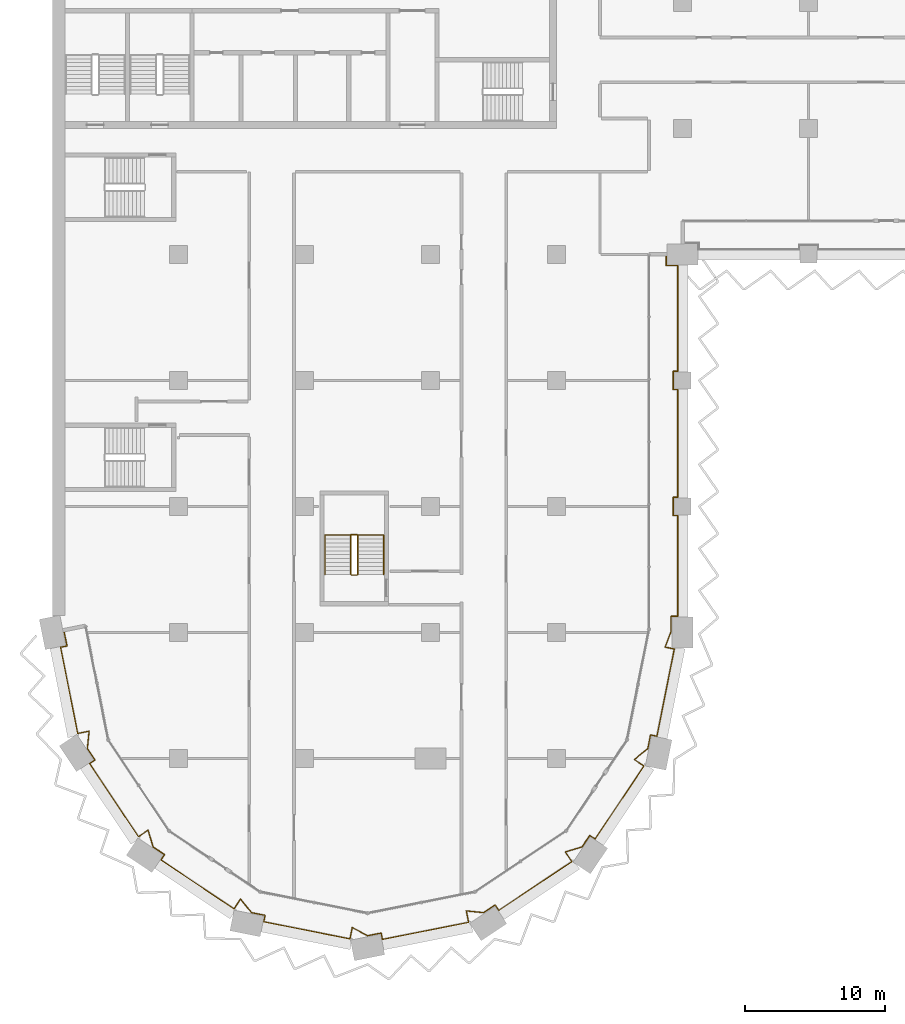
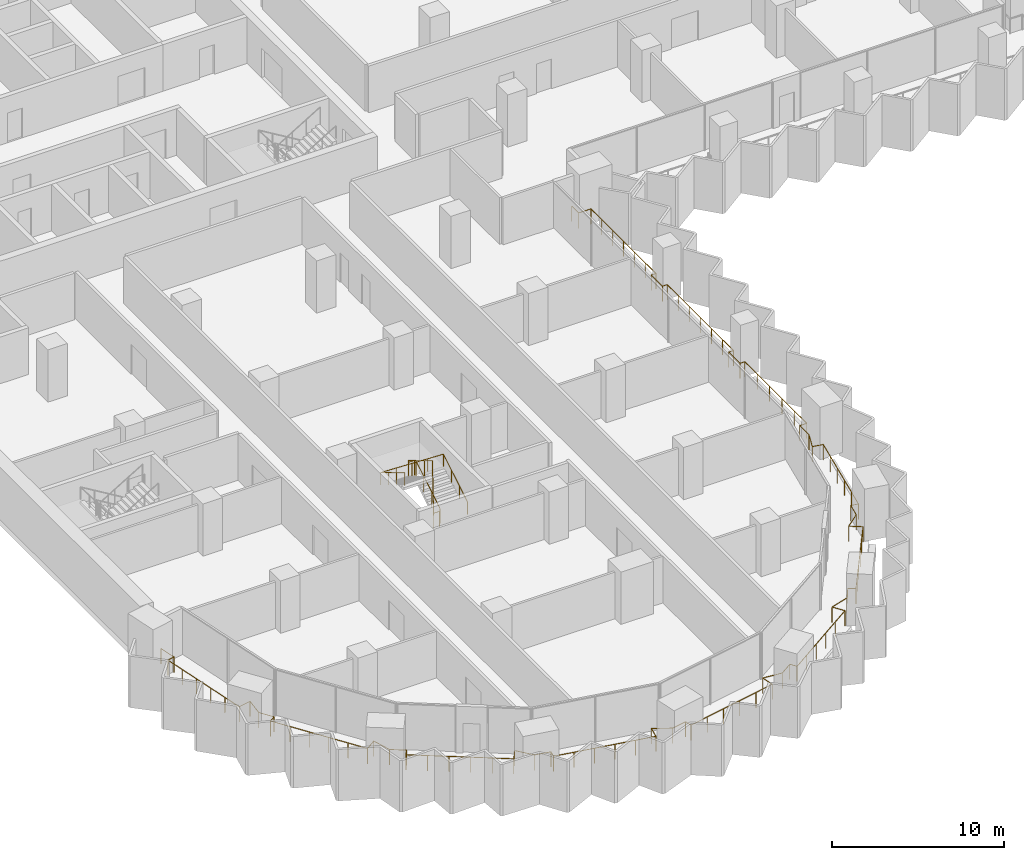
# One storey, part 19 of 22: 3 railings.
"""IFC4 building model written with IfcOpenShell, lengths in metres."""

from ifc_helpers import new_model, si_unit, direction, frame, origin, origin_2d, place, context, subcontext, project, spatial, circle, extrude, material, type_object, element, save


model = new_model("IFC4")

# Units and contexts
model_context = context("Model", 3, precision=1e-05, world=origin(), true_north=direction((0.0, 1.0)))
body_context = subcontext(model_context, "Body", "Model", "MODEL_VIEW")
ifc_project = project(units=[si_unit("LENGTHUNIT", "METRE"), si_unit("AREAUNIT", "SQUARE_METRE"), si_unit("VOLUMEUNIT", "CUBIC_METRE"), si_unit("PLANEANGLEUNIT", "RADIAN"), si_unit("MASSUNIT", "GRAM", prefix="KILO")], contexts=[model_context])

# Site, building, storey
site_placement = place(None, origin())
site = spatial("IfcSite", under=ifc_project, at=site_placement, CompositionType="ELEMENT")
building_placement = place(site_placement, origin())
building = spatial("IfcBuilding", under=site, at=building_placement, Name="Hunhe Ridgeline Campus", CompositionType="ELEMENT")
storey_placement = place(building_placement, frame((0.0, 0.0, 114.39990234375)))
storey = spatial("IfcBuildingStorey", under=building, at=storey_placement, Name="L28", CompositionType="ELEMENT", Elevation=114.39990234375)

# Railings
ifc_material_1 = material(Name="Steel Q355", Category="steel")
railing_type_1 = type_object("IfcRailingType", Name="Loggia guard 1100 Steel Q355", PredefinedType="GUARDRAIL", material=ifc_material_1)
railing_1_placement = place(storey_placement, frame((0.80419921875, 27.159912109375, 0.0)))
element("IfcRailing", 1, at=railing_1_placement, inside=storey, type_object=railing_type_1, Name="Loggia guard 1", PredefinedType="GUARDRAIL", context=body_context, shape_type="SweptSolid", body=[
    extrude(circle(Radius=0.02392578125, at=origin_2d()), frame((0.0, 0.0, 1.076171875), z_axis=(0.195095399255, -0.980784270464, 0.0), x_axis=(0.980784270464, 0.195095399255, 0.0)), (0.0, 0.0, 1.0), 1.150146484375),
    extrude(circle(Radius=0.02392578125, at=origin_2d()), frame((0.224365234375, -1.1279296875, 1.076171875), z_axis=(-0.980839571814, -0.194817181902, 0.0), x_axis=(0.194817181902, -0.980839571814, 0.0)), (0.0, 0.0, 1.0), 0.469970703125),
    extrude(circle(Radius=0.02392578125, at=origin_2d()), frame((-0.236572265625, -1.219482421875, 1.076171875), z_axis=(0.195091122585, -0.98078512116, 0.0), x_axis=(0.98078512116, 0.195091122585, 0.0)), (0.0, 0.0, 1.0), 6.27587890625),
    extrude(circle(Radius=0.02392578125, at=origin_2d()), frame((0.98779296875, -7.374755859375, 1.076171875), z_axis=(0.980805242724, 0.194989937807, 0.0), x_axis=(-0.194989937807, 0.980805242724, 0.0)), (0.0, 0.0, 1.0), 0.833984375),
    extrude(circle(Radius=0.02392578125, at=origin_2d()), frame((1.8056640625, -7.212158203125, 1.076171875), z_axis=(-0.10024174874, -0.994963110778, 0.0), x_axis=(0.994963110778, -0.10024174874, 0.0)), (0.0, 0.0, 1.0), 1.24462890625),
    extrude(circle(Radius=0.02392578125, at=origin_2d()), frame((1.680908203125, -8.450439453125, 1.076171875), z_axis=(0.555613261421, -0.831440860034, 0.0), x_axis=(0.831440860034, 0.555613261421, 0.0)), (0.0, 0.0, 1.0), 0.98681640625),
    extrude(circle(Radius=0.02392578125, at=origin_2d()), frame((2.229248046875, -9.27099609375, 1.076171875), z_axis=(-0.831650496226, -0.55529942565, 0.0), x_axis=(0.55529942565, -0.831650496226, 0.0)), (0.0, 0.0, 1.0), 0.469970703125),
    extrude(circle(Radius=0.02392578125, at=origin_2d()), frame((1.83837890625, -9.531982421875, 1.076171875), z_axis=(0.55555274607, -0.831481296443, 0.0), x_axis=(0.831481296443, 0.55555274607, 0.0)), (0.0, 0.0, 1.0), 6.27587890625),
    extrude(circle(Radius=0.02392578125, at=origin_2d()), frame((5.324951171875, -14.750244140625, 1.076171875), z_axis=(0.831419211319, 0.555645656016, 0.0), x_axis=(-0.555645656016, 0.831419211319, 0.0)), (0.0, 0.0, 1.0), 0.833984375),
    extrude(circle(Radius=0.02392578125, at=origin_2d()), frame((6.018310546875, -14.286865234375, 1.076171875), z_axis=(0.288373576958, -0.957517979002, 0.0), x_axis=(0.957517979002, 0.288373576958, 0.0)), (0.0, 0.0, 1.0), 1.24462890625),
    extrude(circle(Radius=0.02392578125, at=origin_2d()), frame((6.377197265625, -15.478515625, 1.076171875), z_axis=(0.831440860034, -0.555613261421, 0.0), x_axis=(0.555613261421, 0.831440860034, 0.0)), (0.0, 0.0, 1.0), 0.98681640625),
    extrude(circle(Radius=0.02392578125, at=origin_2d()), frame((7.19775390625, -16.02685546875, 1.076171875), z_axis=(-0.555658548717, -0.831410594856, 0.0), x_axis=(0.831410594856, -0.555658548717, 0.0)), (0.0, 0.0, 1.0), 0.47021484375),
    extrude(circle(Radius=0.02392578125, at=origin_2d()), frame((6.9365234375, -16.417724609375, 1.076171875), z_axis=(0.831469289337, -0.555570716372, 0.0), x_axis=(0.555570716372, 0.831469289337, 0.0)), (0.0, 0.0, 1.0), 6.275634765625),
    extrude(circle(Radius=0.02392578125, at=origin_2d()), frame((12.154541015625, -19.904296875, 1.076171875), z_axis=(0.555645656016, 0.831419211319, 0.0), x_axis=(-0.831419211319, 0.555645656016, 0.0)), (0.0, 0.0, 1.0), 0.833984375),
    extrude(circle(Radius=0.02392578125, at=origin_2d()), frame((12.617919921875, -19.2109375, 1.076171875), z_axis=(0.632628709191, -0.774455238414, 0.0), x_axis=(0.774455238414, 0.632628709191, 0.0)), (0.0, 0.0, 1.0), 1.24462890625),
    extrude(circle(Radius=0.02392578125, at=origin_2d()), frame((13.4052734375, -20.1748046875, 1.076171875), z_axis=(0.980770488785, -0.195164669773, 0.0), x_axis=(0.195164669773, 0.980770488785, 0.0)), (0.0, 0.0, 1.0), 0.987060546875),
    extrude(circle(Radius=0.02392578125, at=origin_2d()), frame((14.373291015625, -20.367431640625, 1.076171875), z_axis=(-0.195316901017, -0.980740183829, 0.0), x_axis=(0.980740183829, -0.195316901017, 0.0)), (0.0, 0.0, 1.0), 0.469970703125),
    extrude(circle(Radius=0.02392578125, at=origin_2d()), frame((14.281494140625, -20.828369140625, 1.076171875), z_axis=(0.98078512116, -0.195091122585, 0.0), x_axis=(0.195091122585, 0.98078512116, 0.0)), (0.0, 0.0, 1.0), 6.27587890625),
    extrude(circle(Radius=0.02392578125, at=origin_2d()), frame((20.436767578125, -22.052734375, 1.076171875), z_axis=(0.194989937807, 0.980805242724, 0.0), x_axis=(-0.980805242724, 0.194989937807, 0.0)), (0.0, 0.0, 1.0), 0.833984375),
    extrude(circle(Radius=0.02392578125, at=origin_2d()), frame((20.599365234375, -21.23486328125, 1.076171875), z_axis=(0.880980801229, -0.473152013486, 0.0), x_axis=(0.473152013486, 0.880980801229, 0.0)), (0.0, 0.0, 1.0), 1.24462890625),
    extrude(circle(Radius=0.02392578125, at=origin_2d()), frame((21.69580078125, -21.82373046875, 1.076171875), z_axis=(0.98081780924, 0.194926717196, 0.0), x_axis=(-0.194926717196, 0.98081780924, 0.0)), (0.0, 0.0, 1.0), 0.987060546875),
    extrude(circle(Radius=0.02392578125, at=origin_2d()), frame((22.663818359375, -21.63134765625, 1.076171875), z_axis=(0.194817181902, -0.980839571814, 0.0), x_axis=(0.980839571814, 0.194817181902, 0.0)), (0.0, 0.0, 1.0), 0.469970703125),
    extrude(circle(Radius=0.02392578125, at=origin_2d()), frame((22.75537109375, -22.09228515625, 1.076171875), z_axis=(0.98078512116, 0.195091122585, 0.0), x_axis=(-0.195091122585, 0.98078512116, 0.0)), (0.0, 0.0, 1.0), 6.27587890625),
    extrude(circle(Radius=0.02392578125, at=origin_2d()), frame((28.91064453125, -20.867919921875, 1.076171875), z_axis=(-0.194989937807, 0.980805242724, 0.0), x_axis=(-0.980805242724, -0.194989937807, 0.0)), (0.0, 0.0, 1.0), 0.833984375),
    extrude(circle(Radius=0.02392578125, at=origin_2d()), frame((28.748046875, -20.050048828125, 1.076171875), z_axis=(0.994963110778, -0.10024174874, 0.0), x_axis=(0.10024174874, 0.994963110778, 0.0)), (0.0, 0.0, 1.0), 1.24462890625),
    extrude(circle(Radius=0.02392578125, at=origin_2d()), frame((29.986328125, -20.1748046875, 1.076171875), z_axis=(0.831440860034, 0.555613261421, 0.0), x_axis=(-0.555613261421, 0.831440860034, 0.0)), (0.0, 0.0, 1.0), 0.98681640625),
    extrude(circle(Radius=0.02392578125, at=origin_2d()), frame((30.806884765625, -19.62646484375, 1.076171875), z_axis=(0.55529942565, -0.831650496226, 0.0), x_axis=(0.831650496226, 0.55529942565, 0.0)), (0.0, 0.0, 1.0), 0.469970703125),
    extrude(circle(Radius=0.02392578125, at=origin_2d()), frame((31.06787109375, -20.017333984375, 1.076171875), z_axis=(0.831481296443, 0.55555274607, 0.0), x_axis=(-0.55555274607, 0.831481296443, 0.0)), (0.0, 0.0, 1.0), 6.27587890625),
    extrude(circle(Radius=0.02392578125, at=origin_2d()), frame((36.2861328125, -16.53076171875, 1.076171875), z_axis=(-0.555645656016, 0.831419211319, 0.0), x_axis=(-0.831419211319, -0.555645656016, 0.0)), (0.0, 0.0, 1.0), 0.833984375),
    extrude(circle(Radius=0.02392578125, at=origin_2d()), frame((35.82275390625, -15.83740234375, 1.076171875), z_axis=(0.957517979002, 0.288373576958, 0.0), x_axis=(-0.288373576958, 0.957517979002, 0.0)), (0.0, 0.0, 1.0), 1.24462890625),
    extrude(circle(Radius=0.02392578125, at=origin_2d()), frame((37.014404296875, -15.478515625, 1.076171875), z_axis=(0.555613261421, 0.831440860034, 0.0), x_axis=(-0.831440860034, 0.555613261421, 0.0)), (0.0, 0.0, 1.0), 0.98681640625),
    extrude(circle(Radius=0.02392578125, at=origin_2d()), frame((37.562744140625, -14.657958984375, 1.076171875), z_axis=(0.831410594856, -0.555658548717, 0.0), x_axis=(0.555658548717, 0.831410594856, 0.0)), (0.0, 0.0, 1.0), 0.47021484375),
    extrude(circle(Radius=0.02392578125, at=origin_2d()), frame((37.95361328125, -14.919189453125, 1.076171875), z_axis=(0.555570716372, 0.831469289337, 0.0), x_axis=(-0.831469289337, 0.555570716372, 0.0)), (0.0, 0.0, 1.0), 6.275634765625),
    extrude(circle(Radius=0.02392578125, at=origin_2d()), frame((41.440185546875, -9.701171875, 1.076171875), z_axis=(-0.831419211319, 0.555645656016, 0.0), x_axis=(-0.555645656016, -0.831419211319, 0.0)), (0.0, 0.0, 1.0), 0.833984375),
    extrude(circle(Radius=0.02392578125, at=origin_2d()), frame((40.746826171875, -9.23779296875, 1.076171875), z_axis=(0.774455238414, 0.632628709191, 0.0), x_axis=(-0.632628709191, 0.774455238414, 0.0)), (0.0, 0.0, 1.0), 1.24462890625),
    extrude(circle(Radius=0.02392578125, at=origin_2d()), frame((41.710693359375, -8.450439453125, 1.076171875), z_axis=(0.195164669773, 0.980770488785, 0.0), x_axis=(-0.980770488785, 0.195164669773, 0.0)), (0.0, 0.0, 1.0), 0.987060546875),
    extrude(circle(Radius=0.02392578125, at=origin_2d()), frame((41.9033203125, -7.482421875, 1.076171875), z_axis=(0.980740183829, -0.195316901017, 0.0), x_axis=(0.195316901017, 0.980740183829, 0.0)), (0.0, 0.0, 1.0), 0.469970703125),
    extrude(circle(Radius=0.02392578125, at=origin_2d()), frame((42.3642578125, -7.57421875, 1.076171875), z_axis=(0.195074166836, 0.98078849373, 0.0), x_axis=(-0.98078849373, 0.195074166836, 0.0)), (0.0, 0.0, 1.0), 6.35400390625),
    extrude(circle(Radius=0.02392578125, at=origin_2d()), frame((43.603759765625, -1.34228515625, 1.076171875), z_axis=(-0.980818178173, 0.194924860818, 0.0), x_axis=(-0.194924860818, -0.980818178173, 0.0)), (0.0, 0.0, 1.0), 0.670166015625),
    extrude(circle(Radius=0.02392578125, at=origin_2d()), frame((42.946533203125, -1.211669921875, 1.076171875), z_axis=(0.354368618256, 0.935105813475, 0.0), x_axis=(-0.935105813475, 0.354368618256, 0.0)), (0.0, 0.0, 1.0), 1.211181640625),
    extrude(circle(Radius=0.02392578125, at=origin_2d()), frame((43.375732421875, -0.0791015625, 1.076171875), z_axis=(0.0, 1.0, 0.0), x_axis=(-1.0, 0.0, 0.0)), (0.0, 0.0, 1.0), 1.069091796875),
    extrude(circle(Radius=0.02392578125, at=origin_2d()), frame((43.375732421875, 0.989990234375, 1.076171875), z_axis=(1.0, 0.0, 0.0), x_axis=(0.0, 1.0, 0.0)), (0.0, 0.0, 1.0), 0.469970703125),
    extrude(circle(Radius=0.02392578125, at=origin_2d()), frame((43.845703125, 0.989990234375, 1.076171875), z_axis=(0.0, 1.0, 0.0), x_axis=(-1.0, 0.0, 0.0)), (0.0, 0.0, 1.0), 7.2001953125),
    extrude(circle(Radius=0.02392578125, at=origin_2d()), frame((43.845703125, 8.190185546875, 1.076171875), z_axis=(-1.0, 0.0, 0.0), x_axis=(0.0, -1.0, 0.0)), (0.0, 0.0, 1.0), 0.31982421875),
    extrude(circle(Radius=0.02392578125, at=origin_2d()), frame((43.52587890625, 8.190185546875, 1.076171875), z_axis=(0.0, 1.0, 0.0), x_axis=(-1.0, 0.0, 0.0)), (0.0, 0.0, 1.0), 1.2998046875),
    extrude(circle(Radius=0.02392578125, at=origin_2d()), frame((43.52587890625, 9.489990234375, 1.076171875), z_axis=(1.0, 0.0, 0.0), x_axis=(0.0, 1.0, 0.0)), (0.0, 0.0, 1.0), 0.31982421875),
    extrude(circle(Radius=0.02392578125, at=origin_2d()), frame((43.845703125, 9.489990234375, 1.076171875), z_axis=(0.0, 1.0, 0.0), x_axis=(-1.0, 0.0, 0.0)), (0.0, 0.0, 1.0), 7.7001953125),
    extrude(circle(Radius=0.02392578125, at=origin_2d()), frame((43.845703125, 17.190185546875, 1.076171875), z_axis=(-1.0, 0.0, 0.0), x_axis=(0.0, -1.0, 0.0)), (0.0, 0.0, 1.0), 0.31982421875),
    extrude(circle(Radius=0.02392578125, at=origin_2d()), frame((43.52587890625, 17.190185546875, 1.076171875), z_axis=(0.0, 1.0, 0.0), x_axis=(-1.0, 0.0, 0.0)), (0.0, 0.0, 1.0), 1.2998046875),
    extrude(circle(Radius=0.02392578125, at=origin_2d()), frame((43.52587890625, 18.489990234375, 1.076171875), z_axis=(1.0, 0.0, 0.0), x_axis=(0.0, 1.0, 0.0)), (0.0, 0.0, 1.0), 0.31982421875),
    extrude(circle(Radius=0.02392578125, at=origin_2d()), frame((43.845703125, 18.489990234375, 1.076171875), z_axis=(0.0, 1.0, 0.0), x_axis=(-1.0, 0.0, 0.0)), (0.0, 0.0, 1.0), 7.550048828125),
    extrude(circle(Radius=0.02392578125, at=origin_2d()), frame((43.845703125, 26.0400390625, 1.076171875), z_axis=(-1.0, 0.0, 0.0), x_axis=(0.0, -1.0, 0.0)), (0.0, 0.0, 1.0), 0.81982421875),
    extrude(circle(Radius=0.02392578125, at=origin_2d()), frame((43.02587890625, 26.0400390625, 1.076171875), z_axis=(0.0, 1.0, 0.0), x_axis=(-1.0, 0.0, 0.0)), (0.0, 0.0, 1.0), 0.800048828125),
    extrude(circle(Radius=0.02099609375, at=origin_2d()), origin(), (0.0, 0.0, 1.0), 1.052001953125),
    extrude(circle(Radius=0.02099609375, at=origin_2d()), frame((0.224365234375, -1.1279296875, 0.0)), (0.0, 0.0, 1.0), 1.052001953125),
    extrude(circle(Radius=0.02099609375, at=origin_2d()), frame((-0.236572265625, -1.219482421875, 0.0)), (0.0, 0.0, 1.0), 1.052001953125),
    extrude(circle(Radius=0.02099609375, at=origin_2d()), frame((0.00830078125, -2.450439453125, 0.0)), (0.0, 0.0, 1.0), 1.052001953125),
    extrude(circle(Radius=0.02099609375, at=origin_2d()), frame((0.253173828125, -3.681640625, 0.0)), (0.0, 0.0, 1.0), 1.052001953125),
    extrude(circle(Radius=0.02099609375, at=origin_2d()), frame((0.498046875, -4.91259765625, 0.0)), (0.0, 0.0, 1.0), 1.052001953125),
    extrude(circle(Radius=0.02099609375, at=origin_2d()), frame((0.742919921875, -6.143798828125, 0.0)), (0.0, 0.0, 1.0), 1.052001953125),
    extrude(circle(Radius=0.02099609375, at=origin_2d()), frame((0.98779296875, -7.374755859375, 0.0)), (0.0, 0.0, 1.0), 1.052001953125),
    extrude(circle(Radius=0.02099609375, at=origin_2d()), frame((1.8056640625, -7.212158203125, 0.0)), (0.0, 0.0, 1.0), 1.052001953125),
    extrude(circle(Radius=0.02099609375, at=origin_2d()), frame((1.680908203125, -8.450439453125, 0.0)), (0.0, 0.0, 1.0), 1.052001953125),
    extrude(circle(Radius=0.02099609375, at=origin_2d()), frame((2.229248046875, -9.27099609375, 0.0)), (0.0, 0.0, 1.0), 1.052001953125),
    extrude(circle(Radius=0.02099609375, at=origin_2d()), frame((1.83837890625, -9.531982421875, 0.0)), (0.0, 0.0, 1.0), 1.052001953125),
    extrude(circle(Radius=0.02099609375, at=origin_2d()), frame((2.53564453125, -10.57568359375, 0.0)), (0.0, 0.0, 1.0), 1.052001953125),
    extrude(circle(Radius=0.02099609375, at=origin_2d()), frame((3.23291015625, -11.619384765625, 0.0)), (0.0, 0.0, 1.0), 1.052001953125),
    extrude(circle(Radius=0.02099609375, at=origin_2d()), frame((3.930419921875, -12.662841796875, 0.0)), (0.0, 0.0, 1.0), 1.052001953125),
    extrude(circle(Radius=0.02099609375, at=origin_2d()), frame((4.627685546875, -13.70654296875, 0.0)), (0.0, 0.0, 1.0), 1.052001953125),
    extrude(circle(Radius=0.02099609375, at=origin_2d()), frame((5.324951171875, -14.750244140625, 0.0)), (0.0, 0.0, 1.0), 1.052001953125),
    extrude(circle(Radius=0.02099609375, at=origin_2d()), frame((6.018310546875, -14.286865234375, 0.0)), (0.0, 0.0, 1.0), 1.052001953125),
    extrude(circle(Radius=0.02099609375, at=origin_2d()), frame((6.377197265625, -15.478515625, 0.0)), (0.0, 0.0, 1.0), 1.052001953125),
    extrude(circle(Radius=0.02099609375, at=origin_2d()), frame((7.19775390625, -16.02685546875, 0.0)), (0.0, 0.0, 1.0), 1.052001953125),
    extrude(circle(Radius=0.02099609375, at=origin_2d()), frame((6.9365234375, -16.417724609375, 0.0)), (0.0, 0.0, 1.0), 1.052001953125),
    extrude(circle(Radius=0.02099609375, at=origin_2d()), frame((7.980224609375, -17.114990234375, 0.0)), (0.0, 0.0, 1.0), 1.052001953125),
    extrude(circle(Radius=0.02099609375, at=origin_2d()), frame((9.023681640625, -17.812255859375, 0.0)), (0.0, 0.0, 1.0), 1.052001953125),
    extrude(circle(Radius=0.02099609375, at=origin_2d()), frame((10.0673828125, -18.509765625, 0.0)), (0.0, 0.0, 1.0), 1.052001953125),
    extrude(circle(Radius=0.02099609375, at=origin_2d()), frame((11.11083984375, -19.20703125, 0.0)), (0.0, 0.0, 1.0), 1.052001953125),
    extrude(circle(Radius=0.02099609375, at=origin_2d()), frame((12.154541015625, -19.904296875, 0.0)), (0.0, 0.0, 1.0), 1.052001953125),
    extrude(circle(Radius=0.02099609375, at=origin_2d()), frame((12.617919921875, -19.2109375, 0.0)), (0.0, 0.0, 1.0), 1.052001953125),
    extrude(circle(Radius=0.02099609375, at=origin_2d()), frame((13.4052734375, -20.1748046875, 0.0)), (0.0, 0.0, 1.0), 1.052001953125),
    extrude(circle(Radius=0.02099609375, at=origin_2d()), frame((14.373291015625, -20.367431640625, 0.0)), (0.0, 0.0, 1.0), 1.052001953125),
    extrude(circle(Radius=0.02099609375, at=origin_2d()), frame((14.281494140625, -20.828369140625, 0.0)), (0.0, 0.0, 1.0), 1.052001953125),
    extrude(circle(Radius=0.02099609375, at=origin_2d()), frame((15.512451171875, -21.0732421875, 0.0)), (0.0, 0.0, 1.0), 1.052001953125),
    extrude(circle(Radius=0.02099609375, at=origin_2d()), frame((16.74365234375, -21.318115234375, 0.0)), (0.0, 0.0, 1.0), 1.052001953125),
    extrude(circle(Radius=0.02099609375, at=origin_2d()), frame((17.974609375, -21.56298828125, 0.0)), (0.0, 0.0, 1.0), 1.052001953125),
    extrude(circle(Radius=0.02099609375, at=origin_2d()), frame((19.205810546875, -21.807861328125, 0.0)), (0.0, 0.0, 1.0), 1.052001953125),
    extrude(circle(Radius=0.02099609375, at=origin_2d()), frame((20.436767578125, -22.052734375, 0.0)), (0.0, 0.0, 1.0), 1.052001953125),
    extrude(circle(Radius=0.02099609375, at=origin_2d()), frame((20.599365234375, -21.23486328125, 0.0)), (0.0, 0.0, 1.0), 1.052001953125),
    extrude(circle(Radius=0.02099609375, at=origin_2d()), frame((21.69580078125, -21.82373046875, 0.0)), (0.0, 0.0, 1.0), 1.052001953125),
    extrude(circle(Radius=0.02099609375, at=origin_2d()), frame((22.663818359375, -21.63134765625, 0.0)), (0.0, 0.0, 1.0), 1.052001953125),
    extrude(circle(Radius=0.02099609375, at=origin_2d()), frame((22.75537109375, -22.09228515625, 0.0)), (0.0, 0.0, 1.0), 1.052001953125),
    extrude(circle(Radius=0.02099609375, at=origin_2d()), frame((23.986328125, -21.847412109375, 0.0)), (0.0, 0.0, 1.0), 1.052001953125),
    extrude(circle(Radius=0.02099609375, at=origin_2d()), frame((25.217529296875, -21.6025390625, 0.0)), (0.0, 0.0, 1.0), 1.052001953125),
    extrude(circle(Radius=0.02099609375, at=origin_2d()), frame((26.448486328125, -21.357666015625, 0.0)), (0.0, 0.0, 1.0), 1.052001953125),
    extrude(circle(Radius=0.02099609375, at=origin_2d()), frame((27.6796875, -21.11279296875, 0.0)), (0.0, 0.0, 1.0), 1.052001953125),
    extrude(circle(Radius=0.02099609375, at=origin_2d()), frame((28.91064453125, -20.867919921875, 0.0)), (0.0, 0.0, 1.0), 1.052001953125),
    extrude(circle(Radius=0.02099609375, at=origin_2d()), frame((28.748046875, -20.050048828125, 0.0)), (0.0, 0.0, 1.0), 1.052001953125),
    extrude(circle(Radius=0.02099609375, at=origin_2d()), frame((29.986328125, -20.1748046875, 0.0)), (0.0, 0.0, 1.0), 1.052001953125),
    extrude(circle(Radius=0.02099609375, at=origin_2d()), frame((30.806884765625, -19.62646484375, 0.0)), (0.0, 0.0, 1.0), 1.052001953125),
    extrude(circle(Radius=0.02099609375, at=origin_2d()), frame((31.06787109375, -20.017333984375, 0.0)), (0.0, 0.0, 1.0), 1.052001953125),
    extrude(circle(Radius=0.02099609375, at=origin_2d()), frame((32.111572265625, -19.320068359375, 0.0)), (0.0, 0.0, 1.0), 1.052001953125),
    extrude(circle(Radius=0.02099609375, at=origin_2d()), frame((33.1552734375, -18.622802734375, 0.0)), (0.0, 0.0, 1.0), 1.052001953125),
    extrude(circle(Radius=0.02099609375, at=origin_2d()), frame((34.19873046875, -17.92529296875, 0.0)), (0.0, 0.0, 1.0), 1.052001953125),
    extrude(circle(Radius=0.02099609375, at=origin_2d()), frame((35.242431640625, -17.22802734375, 0.0)), (0.0, 0.0, 1.0), 1.052001953125),
    extrude(circle(Radius=0.02099609375, at=origin_2d()), frame((36.2861328125, -16.53076171875, 0.0)), (0.0, 0.0, 1.0), 1.052001953125),
    extrude(circle(Radius=0.02099609375, at=origin_2d()), frame((35.82275390625, -15.83740234375, 0.0)), (0.0, 0.0, 1.0), 1.052001953125),
    extrude(circle(Radius=0.02099609375, at=origin_2d()), frame((37.014404296875, -15.478515625, 0.0)), (0.0, 0.0, 1.0), 1.052001953125),
    extrude(circle(Radius=0.02099609375, at=origin_2d()), frame((37.562744140625, -14.657958984375, 0.0)), (0.0, 0.0, 1.0), 1.052001953125),
    extrude(circle(Radius=0.02099609375, at=origin_2d()), frame((37.95361328125, -14.919189453125, 0.0)), (0.0, 0.0, 1.0), 1.052001953125),
    extrude(circle(Radius=0.02099609375, at=origin_2d()), frame((38.65087890625, -13.87548828125, 0.0)), (0.0, 0.0, 1.0), 1.052001953125),
    extrude(circle(Radius=0.02099609375, at=origin_2d()), frame((39.34814453125, -12.83203125, 0.0)), (0.0, 0.0, 1.0), 1.052001953125),
    extrude(circle(Radius=0.02099609375, at=origin_2d()), frame((40.045654296875, -11.788330078125, 0.0)), (0.0, 0.0, 1.0), 1.052001953125),
    extrude(circle(Radius=0.02099609375, at=origin_2d()), frame((40.742919921875, -10.744873046875, 0.0)), (0.0, 0.0, 1.0), 1.052001953125),
    extrude(circle(Radius=0.02099609375, at=origin_2d()), frame((41.440185546875, -9.701171875, 0.0)), (0.0, 0.0, 1.0), 1.052001953125),
    extrude(circle(Radius=0.02099609375, at=origin_2d()), frame((40.746826171875, -9.23779296875, 0.0)), (0.0, 0.0, 1.0), 1.052001953125),
    extrude(circle(Radius=0.02099609375, at=origin_2d()), frame((41.710693359375, -8.450439453125, 0.0)), (0.0, 0.0, 1.0), 1.052001953125),
    extrude(circle(Radius=0.02099609375, at=origin_2d()), frame((41.9033203125, -7.482421875, 0.0)), (0.0, 0.0, 1.0), 1.052001953125),
    extrude(circle(Radius=0.02099609375, at=origin_2d()), frame((42.3642578125, -7.57421875, 0.0)), (0.0, 0.0, 1.0), 1.052001953125),
    extrude(circle(Radius=0.02099609375, at=origin_2d()), frame((42.612060546875, -6.327880859375, 0.0)), (0.0, 0.0, 1.0), 1.052001953125),
    extrude(circle(Radius=0.02099609375, at=origin_2d()), frame((42.860107421875, -5.08154296875, 0.0)), (0.0, 0.0, 1.0), 1.052001953125),
    extrude(circle(Radius=0.02099609375, at=origin_2d()), frame((43.10791015625, -3.8349609375, 0.0)), (0.0, 0.0, 1.0), 1.052001953125),
    extrude(circle(Radius=0.02099609375, at=origin_2d()), frame((43.35595703125, -2.588623046875, 0.0)), (0.0, 0.0, 1.0), 1.052001953125),
    extrude(circle(Radius=0.02099609375, at=origin_2d()), frame((43.603759765625, -1.34228515625, 0.0)), (0.0, 0.0, 1.0), 1.052001953125),
    extrude(circle(Radius=0.02099609375, at=origin_2d()), frame((42.946533203125, -1.211669921875, 0.0)), (0.0, 0.0, 1.0), 1.052001953125),
    extrude(circle(Radius=0.02099609375, at=origin_2d()), frame((43.375732421875, -0.0791015625, 0.0)), (0.0, 0.0, 1.0), 1.052001953125),
    extrude(circle(Radius=0.02099609375, at=origin_2d()), frame((43.375732421875, 0.989990234375, 0.0)), (0.0, 0.0, 1.0), 1.052001953125),
    extrude(circle(Radius=0.02099609375, at=origin_2d()), frame((43.845703125, 0.989990234375, 0.0)), (0.0, 0.0, 1.0), 1.052001953125),
    extrude(circle(Radius=0.02099609375, at=origin_2d()), frame((43.845703125, 2.429931640625, 0.0)), (0.0, 0.0, 1.0), 1.052001953125),
    extrude(circle(Radius=0.02099609375, at=origin_2d()), frame((43.845703125, 3.8701171875, 0.0)), (0.0, 0.0, 1.0), 1.052001953125),
    extrude(circle(Radius=0.02099609375, at=origin_2d()), frame((43.845703125, 5.31005859375, 0.0)), (0.0, 0.0, 1.0), 1.052001953125),
    extrude(circle(Radius=0.02099609375, at=origin_2d()), frame((43.845703125, 6.750244140625, 0.0)), (0.0, 0.0, 1.0), 1.052001953125),
    extrude(circle(Radius=0.02099609375, at=origin_2d()), frame((43.845703125, 8.190185546875, 0.0)), (0.0, 0.0, 1.0), 1.052001953125),
    extrude(circle(Radius=0.02099609375, at=origin_2d()), frame((43.52587890625, 8.190185546875, 0.0)), (0.0, 0.0, 1.0), 1.052001953125),
    extrude(circle(Radius=0.02099609375, at=origin_2d()), frame((43.52587890625, 9.489990234375, 0.0)), (0.0, 0.0, 1.0), 1.052001953125),
    extrude(circle(Radius=0.02099609375, at=origin_2d()), frame((43.845703125, 9.489990234375, 0.0)), (0.0, 0.0, 1.0), 1.052001953125),
    extrude(circle(Radius=0.02099609375, at=origin_2d()), frame((43.845703125, 10.7734375, 0.0)), (0.0, 0.0, 1.0), 1.052001953125),
    extrude(circle(Radius=0.02099609375, at=origin_2d()), frame((43.845703125, 12.056640625, 0.0)), (0.0, 0.0, 1.0), 1.052001953125),
    extrude(circle(Radius=0.02099609375, at=origin_2d()), frame((43.845703125, 13.340087890625, 0.0)), (0.0, 0.0, 1.0), 1.052001953125),
    extrude(circle(Radius=0.02099609375, at=origin_2d()), frame((43.845703125, 14.62353515625, 0.0)), (0.0, 0.0, 1.0), 1.052001953125),
    extrude(circle(Radius=0.02099609375, at=origin_2d()), frame((43.845703125, 15.90673828125, 0.0)), (0.0, 0.0, 1.0), 1.052001953125),
    extrude(circle(Radius=0.02099609375, at=origin_2d()), frame((43.845703125, 17.190185546875, 0.0)), (0.0, 0.0, 1.0), 1.052001953125),
    extrude(circle(Radius=0.02099609375, at=origin_2d()), frame((43.52587890625, 17.190185546875, 0.0)), (0.0, 0.0, 1.0), 1.052001953125),
    extrude(circle(Radius=0.02099609375, at=origin_2d()), frame((43.52587890625, 18.489990234375, 0.0)), (0.0, 0.0, 1.0), 1.052001953125),
    extrude(circle(Radius=0.02099609375, at=origin_2d()), frame((43.845703125, 18.489990234375, 0.0)), (0.0, 0.0, 1.0), 1.052001953125),
    extrude(circle(Radius=0.02099609375, at=origin_2d()), frame((43.845703125, 19.748291015625, 0.0)), (0.0, 0.0, 1.0), 1.052001953125),
    extrude(circle(Radius=0.02099609375, at=origin_2d()), frame((43.845703125, 21.006591796875, 0.0)), (0.0, 0.0, 1.0), 1.052001953125),
    extrude(circle(Radius=0.02099609375, at=origin_2d()), frame((43.845703125, 22.26513671875, 0.0)), (0.0, 0.0, 1.0), 1.052001953125),
    extrude(circle(Radius=0.02099609375, at=origin_2d()), frame((43.845703125, 23.5234375, 0.0)), (0.0, 0.0, 1.0), 1.052001953125),
    extrude(circle(Radius=0.02099609375, at=origin_2d()), frame((43.845703125, 24.78173828125, 0.0)), (0.0, 0.0, 1.0), 1.052001953125),
    extrude(circle(Radius=0.02099609375, at=origin_2d()), frame((43.845703125, 26.0400390625, 0.0)), (0.0, 0.0, 1.0), 1.052001953125),
    extrude(circle(Radius=0.02099609375, at=origin_2d()), frame((43.02587890625, 26.0400390625, 0.0)), (0.0, 0.0, 1.0), 1.052001953125),
    extrude(circle(Radius=0.02099609375, at=origin_2d()), frame((43.02587890625, 26.840087890625, 0.0)), (0.0, 0.0, 1.0), 1.052001953125),
])
ifc_material_2 = material(Name="Stainless steel balustrade", Category="steel")
railing_type_2 = type_object("IfcRailingType", Name="Stair guard 1100 stainless", PredefinedType="GUARDRAIL", material=ifc_material_2)
railing_2_placement = place(storey_placement, frame((21.800048828125, 31.14990234375, 0.168212890625)))
element("IfcRailing", 2, at=railing_2_placement, inside=storey, type_object=railing_type_2, Name="L28 stair W3 guard", PredefinedType="GUARDRAIL", context=body_context, shape_type="SweptSolid", body=[
    extrude(circle(Radius=0.02392578125, at=origin_2d()), frame((0.0, 0.0, 1.076171875), z_axis=(0.0, 0.857242210791, 0.514913383045), x_axis=(-1.0, 0.0, 0.0)), (0.0, 0.0, 1.0), 3.266357421875),
    extrude(circle(Radius=0.02392578125, at=origin_2d()), frame((0.0, 2.800048828125, 2.7578125), z_axis=(-0.707106781187, 0.707106781187, 0.0), x_axis=(-0.707106781187, -0.707106781187, 0.0)), (0.0, 0.0, 1.0), 0.07080078125),
    extrude(circle(Radius=0.02392578125, at=origin_2d()), frame((-0.050048828125, 2.85009765625, 2.7578125), z_axis=(-1.0, 0.0, 0.0), x_axis=(0.0, -1.0, 0.0)), (0.0, 0.0, 1.0), 0.39990234375),
    extrude(circle(Radius=0.02392578125, at=origin_2d()), frame((-0.449951171875, 2.85009765625, 2.7578125), z_axis=(-0.274243871929, -0.274243871929, 0.92172696468), x_axis=(0.707106781187, -0.707106781187, 0.0)), (0.0, 0.0, 1.0), 0.1826171875),
    extrude(circle(Radius=0.02392578125, at=origin_2d()), frame((-0.5, 2.800048828125, 2.92626953125), z_axis=(0.0, -0.857242210791, 0.514913383045), x_axis=(1.0, 0.0, 0.0)), (0.0, 0.0, 1.0), 3.266357421875),
    extrude(circle(Radius=0.02392578125, at=origin_2d()), frame((-0.5, 0.0, 4.60791015625), z_axis=(0.013523534403, -0.013457565943, -0.999817987404), x_axis=(0.705375805398, 0.708833529934, 0.0)), (0.0, 0.0, 1.0), 3.700927734375),
    extrude(circle(Radius=0.02392578125, at=origin_2d()), frame((-0.449951171875, -0.0498046875, 0.90771484375), z_axis=(1.0, 0.0, 0.0), x_axis=(0.0, 1.0, 0.0)), (0.0, 0.0, 1.0), 0.39990234375),
    extrude(circle(Radius=0.02099609375, at=origin_2d()), origin(), (0.0, 0.0, 1.0), 1.052001953125),
    extrude(circle(Radius=0.02099609375, at=origin_2d()), frame((0.0, 0.933349609375, 0.560546875)), (0.0, 0.0, 1.0), 1.052001953125),
    extrude(circle(Radius=0.02099609375, at=origin_2d()), frame((0.0, 1.86669921875, 1.121337890625)), (0.0, 0.0, 1.0), 1.052001953125),
    extrude(circle(Radius=0.02099609375, at=origin_2d()), frame((0.0, 2.800048828125, 1.681884765625)), (0.0, 0.0, 1.0), 1.052001953125),
    extrude(circle(Radius=0.02099609375, at=origin_2d()), frame((-0.050048828125, 2.85009765625, 1.681884765625)), (0.0, 0.0, 1.0), 1.052001953125),
    extrude(circle(Radius=0.02099609375, at=origin_2d()), frame((-0.449951171875, 2.85009765625, 1.681884765625)), (0.0, 0.0, 1.0), 1.052001953125),
    extrude(circle(Radius=0.02099609375, at=origin_2d()), frame((-0.5, 2.800048828125, 1.85009765625)), (0.0, 0.0, 1.0), 1.052001953125),
    extrude(circle(Radius=0.02099609375, at=origin_2d()), frame((-0.5, 1.86669921875, 2.41064453125)), (0.0, 0.0, 1.0), 1.052001953125),
    extrude(circle(Radius=0.02099609375, at=origin_2d()), frame((-0.5, 0.933349609375, 2.971435546875)), (0.0, 0.0, 1.0), 1.052001953125),
    extrude(circle(Radius=0.02099609375, at=origin_2d()), frame((-0.5, 0.0, 3.531982421875)), (0.0, 0.0, 1.0), 1.052001953125),
    extrude(circle(Radius=0.02099609375, at=origin_2d()), frame((-0.487548828125, -0.012451171875, 2.60693359375)), (0.0, 0.0, 1.0), 1.052001953125),
    extrude(circle(Radius=0.02099609375, at=origin_2d()), frame((-0.47509765625, -0.02490234375, 1.681884765625)), (0.0, 0.0, 1.0), 1.052001953125),
    extrude(circle(Radius=0.02099609375, at=origin_2d()), frame((-0.46240234375, -0.037353515625, 0.7568359375)), (0.0, 0.0, 1.0), 1.052001953125),
    extrude(circle(Radius=0.02099609375, at=origin_2d()), frame((-0.449951171875, -0.0498046875, -0.168212890625)), (0.0, 0.0, 1.0), 1.052001953125),
    extrude(circle(Radius=0.02099609375, at=origin_2d()), frame((-0.050048828125, -0.0498046875, -0.168212890625)), (0.0, 0.0, 1.0), 1.052001953125),
])
ifc_material_3 = material(Name="Stainless steel handrail", Category="steel")
railing_type_3 = type_object("IfcRailingType", Name="Stair handrail 900 stainless", PredefinedType="HANDRAIL", material=ifc_material_3)
railing_3_placement = place(storey_placement, frame((23.64990234375, 31.14990234375, 0.168212890625)))
element("IfcRailing", 3, at=railing_3_placement, inside=storey, type_object=railing_type_3, Name="L28 stair W3 handrail", PredefinedType="HANDRAIL", context=body_context, shape_type="SweptSolid", body=[
    extrude(circle(Radius=0.02392578125, at=origin_2d()), frame((0.0, 0.0, 0.8759765625), z_axis=(0.0, 0.857242210791, 0.514913383045), x_axis=(-1.0, 0.0, 0.0)), (0.0, 0.0, 1.0), 3.266357421875),
    extrude(circle(Radius=0.02392578125, at=origin_2d()), frame((0.0, 2.800048828125, 2.5576171875), z_axis=(-0.999198916169, 0.0, 0.040019069537), x_axis=(0.0, -1.0, 0.0)), (0.0, 0.0, 1.0), 4.203369140625),
    extrude(circle(Radius=0.02392578125, at=origin_2d()), frame((-4.199951171875, 2.800048828125, 2.72607421875), z_axis=(0.0, -0.857242210791, 0.514913383045), x_axis=(1.0, 0.0, 0.0)), (0.0, 0.0, 1.0), 3.266357421875),
    extrude(circle(Radius=0.02099609375, at=origin_2d()), origin(), (0.0, 0.0, 1.0), 0.851806640625),
    extrude(circle(Radius=0.02099609375, at=origin_2d()), frame((0.0, 0.933349609375, 0.560546875)), (0.0, 0.0, 1.0), 0.851806640625),
    extrude(circle(Radius=0.02099609375, at=origin_2d()), frame((0.0, 1.86669921875, 1.121337890625)), (0.0, 0.0, 1.0), 0.851806640625),
    extrude(circle(Radius=0.02099609375, at=origin_2d()), frame((0.0, 2.800048828125, 1.681884765625)), (0.0, 0.0, 1.0), 0.851806640625),
    extrude(circle(Radius=0.02099609375, at=origin_2d()), frame((-1.050048828125, 2.800048828125, 1.723876953125)), (0.0, 0.0, 1.0), 0.851806640625),
    extrude(circle(Radius=0.02099609375, at=origin_2d()), frame((-2.10009765625, 2.800048828125, 1.76611328125)), (0.0, 0.0, 1.0), 0.851806640625),
    extrude(circle(Radius=0.02099609375, at=origin_2d()), frame((-3.14990234375, 2.800048828125, 1.80810546875)), (0.0, 0.0, 1.0), 0.851806640625),
    extrude(circle(Radius=0.02099609375, at=origin_2d()), frame((-4.199951171875, 2.800048828125, 1.85009765625)), (0.0, 0.0, 1.0), 0.851806640625),
    extrude(circle(Radius=0.02099609375, at=origin_2d()), frame((-4.199951171875, 1.86669921875, 2.41064453125)), (0.0, 0.0, 1.0), 0.851806640625),
    extrude(circle(Radius=0.02099609375, at=origin_2d()), frame((-4.199951171875, 0.933349609375, 2.971435546875)), (0.0, 0.0, 1.0), 0.851806640625),
    extrude(circle(Radius=0.02099609375, at=origin_2d()), frame((-4.199951171875, 0.0, 3.531982421875)), (0.0, 0.0, 1.0), 0.851806640625),
])

save(model, "model.ifc")
